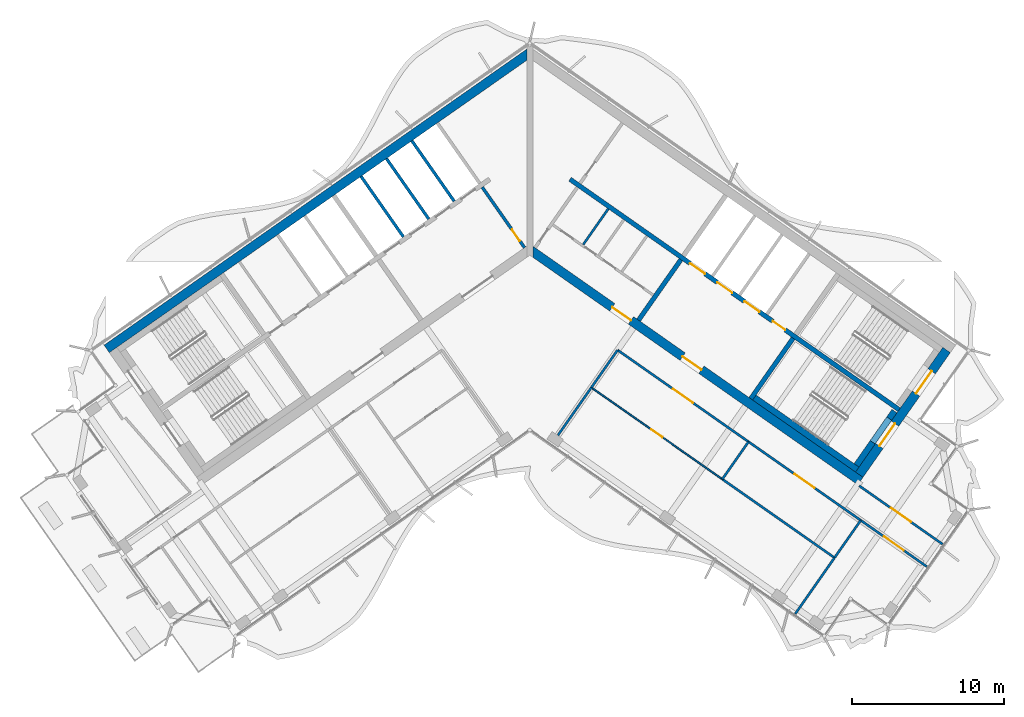
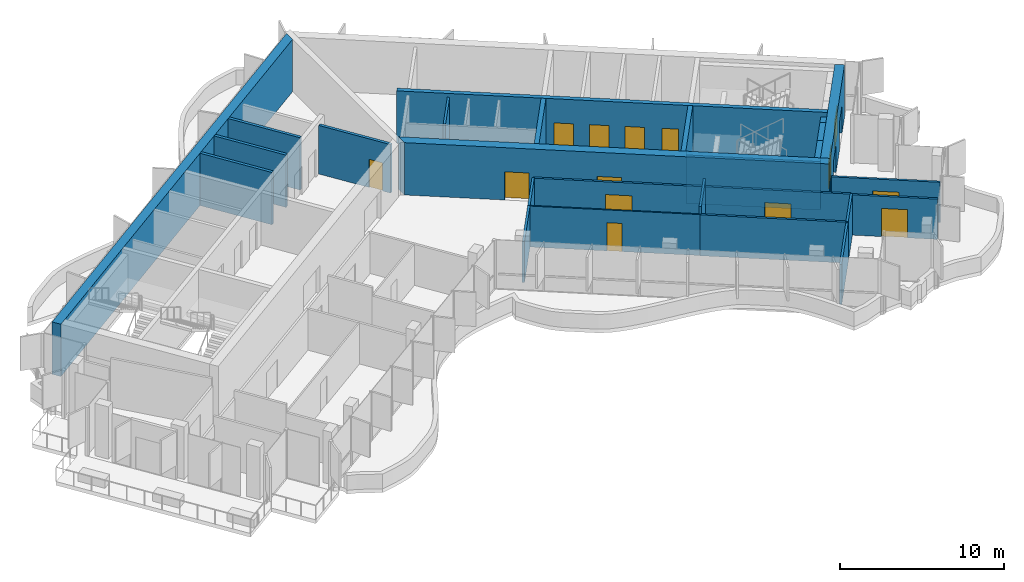
# One storey, part 10 of 18: 26 walls, 14 doors, 14 openings.
"""IFC4 building model written with IfcOpenShell, lengths in metres."""

from ifc_helpers import new_model, si_unit, direction, frame, frame_2d, origin, place, context, subcontext, project, spatial, polyline, rectangle, outline, extrude, material, layer, layer_set, type_object, element, fill, save


model = new_model("IFC4")

# Units and contexts
model_context = context("Model", 3, precision=1e-05, world=origin(), true_north=direction((0.0, 1.0)))
body_context = subcontext(model_context, "Body", "Model", "MODEL_VIEW")
ifc_project = project(units=[si_unit("LENGTHUNIT", "METRE"), si_unit("AREAUNIT", "SQUARE_METRE"), si_unit("VOLUMEUNIT", "CUBIC_METRE"), si_unit("PLANEANGLEUNIT", "RADIAN"), si_unit("MASSUNIT", "GRAM", prefix="KILO")], contexts=[model_context])

# Site, building, storey
site_placement = place(None, origin())
site = spatial("IfcSite", under=ifc_project, at=site_placement, CompositionType="ELEMENT")
building_placement = place(site_placement, origin())
building = spatial("IfcBuilding", under=site, at=building_placement, Name="Tel Ilan Convention Tower", CompositionType="ELEMENT")
storey_placement = place(building_placement, frame((0.0, 0.0, 295.60009765625)))
storey = spatial("IfcBuildingStorey", under=building, at=storey_placement, Name="L70", CompositionType="ELEMENT", Elevation=295.60009765625)

# Wall
ifc_material_1 = material(Name="Gypsum Plasterboard on Steel Stud", Category="steel")
ifc_layer_1 = layer(ifc_material_1, 0.14990234375)
ifc_layer_set_1 = layer_set([ifc_layer_1], Name="Core Room Partition Wall 150 mm EI 60")
wall_type_1 = type_object("IfcWallType", Name="Core Room Partition Wall 150 mm EI 60", PredefinedType="PARTITIONING", material=ifc_layer_set_1)
wall_1_placement = place(storey_placement, frame((3.504150390625, -0.531005859375, 0.0), z_axis=(0.0, 0.0, 1.0), x_axis=(0.573582013179, 0.819148139324, 0.0)))
element("IfcWall", 1, at=wall_1_placement, inside=storey, type_object=wall_type_1, Name="L70 core wall wc-v0", PredefinedType="PARTITIONING", context=body_context, shape_type="SweptSolid", body=[
    extrude(rectangle(XDim=2.875244140625, YDim=0.14990234375, at=frame_2d((1.4375, 0.0))), origin(), (0.0, 0.0, 1.0), 3.619873046875),
])

# Wall, opening, door
ifc_material_2 = material(Name="Concrete C30/37", Category="concrete")
ifc_layer_2 = layer(ifc_material_2, 0.199951171875)
ifc_layer_set_2 = layer_set([ifc_layer_2], Name="Core Service Room Wall 200 mm C30/37")
wall_type_2 = type_object("IfcWallType", Name="Core Service Room Wall 200 mm C30/37", PredefinedType="SOLIDWALL", material=ifc_layer_set_2)
wall_2_placement = place(storey_placement, frame((-0.343994140625, -0.729248046875, 0.0), z_axis=(0.0, 0.0, 1.0), x_axis=(-0.573560315113, 0.819163332265, 0.0)))
wall_2 = element("IfcWall", 2, at=wall_2_placement, inside=storey, type_object=wall_type_2, Name="L70 core wall apex-W", PredefinedType="SOLIDWALL", context=body_context, shape_type="SweptSolid", body=[
    extrude(rectangle(XDim=4.849853515625, YDim=0.199951171875, at=frame_2d((2.4248046875, 0.0))), origin(), (0.0, 0.0, 1.0), 3.619873046875),
])
opening_1_placement = place(wall_2_placement, frame((0.550048828125, 0.0, 0.0)))
opening_1 = element("IfcOpeningElement", 3, at=opening_1_placement, cuts=wall_2, Name="Opening CD5302", PredefinedType="OPENING", context=body_context, shape_type="SweptSolid", body=[
    extrude(rectangle(XDim=0.89990234375, YDim=2.10009765625, at=frame_2d((0.449951171875, 1.050048828125))), frame((0.0, 0.10986328125, 0.0), z_axis=(0.0, -1.0, 0.0), x_axis=(1.0, 0.0, 0.0)), (0.0, 0.0, 1.0), 0.219970703125),
])
ifc_material_3 = material(Name="Galvanised Steel Door Leaf", Category="steel")
door_type_1 = type_object("IfcDoorType", Name="Service Room Door 900 x 2100 FD60", OperationType="NOTDEFINED", PredefinedType="DOOR", material=ifc_material_3)
door_1_placement = place(opening_1_placement, origin())
door_1 = element("IfcDoor", 4, at=door_1_placement, inside=storey, type_object=door_type_1, Name="Riser Room door", OperationType="SINGLE_SWING_RIGHT", OverallHeight=2.10009765625, OverallWidth=0.89990234375, PredefinedType="DOOR", context=body_context, shape_type="SweptSolid", body=[
    extrude(rectangle(XDim=0.89990234375, YDim=2.10009765625, at=frame_2d((0.449951171875, 1.050048828125))), frame((0.0, 0.02490234375, 0.0), z_axis=(0.0, -1.0, 0.0), x_axis=(1.0, 0.0, 0.0)), (0.0, 0.0, 1.0), 0.050048828125),
])
fill(opening_1, door_1)

# Walls
ifc_material_4 = material(Name="Concrete C40/50", Category="concrete")
ifc_layer_3 = layer(ifc_material_4, 0.300048828125)
ifc_layer_set_3 = layer_set([ifc_layer_3], Name="Core Shear Wall 300 mm C40/50")
wall_type_3 = type_object("IfcWallType", Name="Core Shear Wall 300 mm C40/50", PredefinedType="SHEAR", material=ifc_layer_set_3)
wall_3_placement = place(storey_placement, frame((7.142822265625, -5.48974609375, 0.0), z_axis=(0.0, 0.0, 1.0), x_axis=(0.573617744349, 0.819123118565, 0.0)))
element("IfcWall", 5, at=wall_3_placement, inside=storey, type_object=wall_type_3, Name="L70 core wall E-cross1-1", PredefinedType="SHEAR", context=body_context, shape_type="SweptSolid", body=[
    extrude(outline(polyline([(0.0, 0.14990234375), (0.0, -0.150146484375), (4.85009765625, -0.14990234375), (4.85009765625, 0.150146484375), (0.0, 0.14990234375)])), origin(), (0.0, 0.0, 1.0), 3.89990234375),
])
wall_4_placement = place(storey_placement, frame((14.515380859375, -10.652099609375, 0.0), z_axis=(0.0, 0.0, 1.0), x_axis=(0.573560315113, 0.819163332265, 0.0)))
element("IfcWall", 6, at=wall_4_placement, inside=storey, type_object=wall_type_3, Name="L70 core wall E-cross2-1", PredefinedType="SHEAR", context=body_context, shape_type="SweptSolid", body=[
    extrude(outline(polyline([(0.0, 0.150146484375), (0.0, -0.14990234375), (4.85009765625, -0.14990234375), (4.85009765625, 0.14990234375), (0.0, 0.150146484375)])), origin(), (0.0, 0.0, 1.0), 3.89990234375),
])

# Wall, openings, doors
wall_5_placement = place(storey_placement, frame((2.638427734375, 3.76806640625, 0.0), z_axis=(0.0, 0.0, 1.0), x_axis=(0.819155014212, -0.573572194837, 0.0)))
wall_5 = element("IfcWall", 7, at=wall_5_placement, inside=storey, type_object=wall_type_3, Name="L70 core wall E-spine", PredefinedType="SHEAR", context=body_context, shape_type="SweptSolid", body=[
    extrude(outline(polyline([(0.0, 0.150146484375), (0.0, -0.14990234375), (26.39990234375, -0.150146484375), (26.39990234375, 0.14990234375), (0.0, 0.150146484375)])), origin(), (0.0, 0.0, 1.0), 3.89990234375),
])
opening_2_placement = place(wall_5_placement, frame((9.637451171875, 0.0, 0.0)))
opening_2 = element("IfcOpeningElement", 8, at=opening_2_placement, cuts=wall_5, Name="Opening LD5301", PredefinedType="OPENING", context=body_context, shape_type="SweptSolid", body=[
    extrude(rectangle(XDim=1.199951171875, YDim=2.10009765625, at=frame_2d((0.60009765625, 1.050048828125))), frame((0.0, 0.159912109375, 0.0), z_axis=(0.0, -1.0, 0.0), x_axis=(1.0, 0.0, 0.0)), (0.0, 0.0, 1.0), 0.320068359375),
])
opening_3_placement = place(wall_5_placement, frame((11.8125, 0.0, 0.0)))
opening_3 = element("IfcOpeningElement", 9, at=opening_3_placement, cuts=wall_5, Name="Opening LD5302", PredefinedType="OPENING", context=body_context, shape_type="SweptSolid", body=[
    extrude(rectangle(XDim=1.199951171875, YDim=2.10009765625, at=frame_2d((0.60009765625, 1.050048828125))), frame((0.0, 0.159912109375, 0.0), z_axis=(0.0, -1.0, 0.0), x_axis=(1.0, 0.0, 0.0)), (0.0, 0.0, 1.0), 0.320068359375),
])
opening_4_placement = place(wall_5_placement, frame((13.987548828125, 0.0, 0.0)))
opening_4 = element("IfcOpeningElement", 10, at=opening_4_placement, cuts=wall_5, Name="Opening LD5303", PredefinedType="OPENING", context=body_context, shape_type="SweptSolid", body=[
    extrude(rectangle(XDim=1.199951171875, YDim=2.10009765625, at=frame_2d((0.60009765625, 1.050048828125))), frame((0.0, 0.159912109375, 0.0), z_axis=(0.0, -1.0, 0.0), x_axis=(1.0, 0.0, 0.0)), (0.0, 0.0, 1.0), 0.320068359375),
])
opening_5_placement = place(wall_5_placement, frame((16.262451171875, 0.0, 0.0)))
opening_5 = element("IfcOpeningElement", 11, at=opening_5_placement, cuts=wall_5, Name="Opening CD5308", PredefinedType="OPENING", context=body_context, shape_type="SweptSolid", body=[
    extrude(rectangle(XDim=1.0, YDim=2.10009765625, at=frame_2d((0.5, 1.050048828125))), frame((0.0, 0.159912109375, 0.0), z_axis=(0.0, -1.0, 0.0), x_axis=(1.0, 0.0, 0.0)), (0.0, 0.0, 1.0), 0.320068359375),
])
ifc_material_5 = material(Name="Stainless Steel Sliding Door Leaf", Category="steel")
door_type_2 = type_object("IfcDoorType", Name="Lift Landing Door 1200 x 2100 FD120", OperationType="NOTDEFINED", PredefinedType="DOOR", material=ifc_material_5)
door_2_placement = place(opening_2_placement, origin())
door_2 = element("IfcDoor", 12, at=door_2_placement, inside=storey, type_object=door_type_2, Name="Lift FL1 landing door", OperationType="SLIDING_TO_LEFT", OverallHeight=2.10009765625, OverallWidth=1.199951171875, PredefinedType="DOOR", context=body_context, shape_type="SweptSolid", body=[
    extrude(rectangle(XDim=1.199951171875, YDim=2.10009765625, at=frame_2d((0.60009765625, 1.050048828125))), frame((0.0, 0.02490234375, 0.0), z_axis=(0.0, -1.0, 0.0), x_axis=(1.0, 0.0, 0.0)), (0.0, 0.0, 1.0), 0.050048828125),
])
fill(opening_2, door_2)
door_3_placement = place(opening_3_placement, origin())
door_3 = element("IfcDoor", 13, at=door_3_placement, inside=storey, type_object=door_type_2, Name="Lift FL2 landing door", OperationType="SLIDING_TO_RIGHT", OverallHeight=2.10009765625, OverallWidth=1.199951171875, PredefinedType="DOOR", context=body_context, shape_type="SweptSolid", body=[
    extrude(rectangle(XDim=1.199951171875, YDim=2.10009765625, at=frame_2d((0.60009765625, 1.050048828125))), frame((0.0, 0.02490234375, 0.0), z_axis=(0.0, -1.0, 0.0), x_axis=(1.0, 0.0, 0.0)), (0.0, 0.0, 1.0), 0.050048828125),
])
fill(opening_3, door_3)
door_4_placement = place(opening_4_placement, origin())
door_4 = element("IfcDoor", 14, at=door_4_placement, inside=storey, type_object=door_type_2, Name="Lift FL3 landing door", OperationType="SLIDING_TO_LEFT", OverallHeight=2.10009765625, OverallWidth=1.199951171875, PredefinedType="DOOR", context=body_context, shape_type="SweptSolid", body=[
    extrude(rectangle(XDim=1.199951171875, YDim=2.10009765625, at=frame_2d((0.60009765625, 1.050048828125))), frame((0.0, 0.02490234375, 0.0), z_axis=(0.0, -1.0, 0.0), x_axis=(1.0, 0.0, 0.0)), (0.0, 0.0, 1.0), 0.050048828125),
])
fill(opening_4, door_4)
ifc_material_6 = material(Name="Galvanised Steel Door Leaf", Category="steel")
door_type_3 = type_object("IfcDoorType", Name="Service Room Door 1000 x 2100 FD60", OperationType="NOTDEFINED", PredefinedType="DOOR", material=ifc_material_6)
door_5_placement = place(opening_5_placement, origin())
door_5 = element("IfcDoor", 15, at=door_5_placement, inside=storey, type_object=door_type_3, Name="Plant Room door", OperationType="SINGLE_SWING_RIGHT", OverallHeight=2.10009765625, OverallWidth=1.0, PredefinedType="DOOR", context=body_context, shape_type="SweptSolid", body=[
    extrude(rectangle(XDim=1.0, YDim=2.10009765625, at=frame_2d((0.5, 1.050048828125))), frame((0.0, 0.02490234375, 0.0), z_axis=(0.0, -1.0, 0.0), x_axis=(1.0, 0.0, 0.0)), (0.0, 0.0, 1.0), 0.050048828125),
])
fill(opening_5, door_5)

# Wall
ifc_material_7 = material(Name="Concrete C40/50", Category="concrete")
ifc_layer_4 = layer(ifc_material_7, 0.60009765625)
ifc_layer_set_4 = layer_set([ifc_layer_4], Name="Core Shear Wall 600 mm C40/50")
wall_type_4 = type_object("IfcWallType", Name="Core Shear Wall 600 mm C40/50", PredefinedType="SHEAR", material=ifc_layer_set_4)
wall_6_placement = place(storey_placement, frame((-0.02783203125, 12.066162109375, 0.0), z_axis=(0.0, 0.0, 1.0), x_axis=(-0.819151382952, -0.573577380837, 0.0)))
element("IfcWall", 16, at=wall_6_placement, inside=storey, type_object=wall_type_4, Name="L70 core wall W-back", PredefinedType="SHEAR", context=body_context, shape_type="SweptSolid", body=[
    extrude(outline(polyline([(33.89794921875, 0.300048828125), (0.420166015625, 0.300048828125), (0.0, -0.300048828125), (33.898193359375, -0.300048828125), (33.89794921875, 0.300048828125)])), origin(), (0.0, 0.0, 1.0), 3.89990234375),
])

# Wall, openings, doors
wall_7_placement = place(storey_placement, frame((0.02783203125, -0.8740234375, 0.0), z_axis=(0.0, 0.0, 1.0), x_axis=(0.819150035022, -0.573579305871, 0.0)))
wall_7 = element("IfcWall", 17, at=wall_7_placement, inside=storey, type_object=wall_type_4, Name="L70 core wall E-front", PredefinedType="SHEAR", context=body_context, shape_type="SweptSolid", body=[
    extrude(outline(polyline([(26.475830078125, 0.300048828125), (0.000244140625, 0.300048828125), (0.420166015625, -0.300048828125), (26.475830078125, -0.2998046875), (26.475830078125, 0.300048828125)])), origin(), (0.0, 0.0, 1.0), 3.89990234375),
])
opening_6_placement = place(wall_7_placement, frame((6.57568359375, 0.0, 0.0)))
opening_6 = element("IfcOpeningElement", 18, at=opening_6_placement, cuts=wall_7, Name="Opening CD5304", PredefinedType="OPENING", context=body_context, shape_type="SweptSolid", body=[
    extrude(rectangle(XDim=1.5, YDim=2.10009765625, at=frame_2d((0.75, 1.050048828125))), frame((0.0, 0.31005859375, 0.0), z_axis=(0.0, -1.0, 0.0), x_axis=(1.0, 0.0, 0.0)), (0.0, 0.0, 1.0), 0.6201171875),
])
opening_7_placement = place(wall_7_placement, frame((12.225830078125, 0.0, 0.0)))
opening_7 = element("IfcOpeningElement", 19, at=opening_7_placement, cuts=wall_7, Name="Opening CD5305", PredefinedType="OPENING", context=body_context, shape_type="SweptSolid", body=[
    extrude(rectangle(XDim=1.5, YDim=2.10009765625, at=frame_2d((0.75, 1.050048828125))), frame((0.0, 0.31005859375, 0.0), z_axis=(0.0, -1.0, 0.0), x_axis=(1.0, 0.0, 0.0)), (0.0, 0.0, 1.0), 0.6201171875),
])
ifc_material_8 = material(Name="Glazed Aluminium Door Leaf", Category="aluminium")
door_type_4 = type_object("IfcDoorType", Name="Lobby Opening Door 1500 x 2100 FD60S", OperationType="NOTDEFINED", PredefinedType="DOOR", material=ifc_material_8)
door_6_placement = place(opening_7_placement, origin())
door_6 = element("IfcDoor", 20, at=door_6_placement, inside=storey, type_object=door_type_4, Name="Firefighting Lobby door", OperationType="DOUBLE_DOOR_SINGLE_SWING", OverallHeight=2.10009765625, OverallWidth=1.5, PredefinedType="DOOR", context=body_context, shape_type="SweptSolid", body=[
    extrude(rectangle(XDim=1.5, YDim=2.10009765625, at=frame_2d((0.75, 1.050048828125))), frame((0.0, 0.02490234375, 0.0), z_axis=(0.0, -1.0, 0.0), x_axis=(1.0, 0.0, 0.0)), (0.0, 0.0, 1.0), 0.050048828125),
])
fill(opening_7, door_6)
ifc_material_9 = material(Name="Laminated Timber Door Leaf", Category="wood")
door_type_5 = type_object("IfcDoorType", Name="Toilet Door 1500 x 2100 FD30S", OperationType="NOTDEFINED", PredefinedType="DOOR", material=ifc_material_9)
door_7_placement = place(opening_6_placement, origin())
door_7 = element("IfcDoor", 21, at=door_7_placement, inside=storey, type_object=door_type_5, Name="WC Lobby door", OperationType="SINGLE_SWING_RIGHT", OverallHeight=2.10009765625, OverallWidth=1.5, PredefinedType="DOOR", context=body_context, shape_type="SweptSolid", body=[
    extrude(rectangle(XDim=1.5, YDim=2.10009765625, at=frame_2d((0.75, 1.050048828125))), frame((0.0, 0.02490234375, 0.0), z_axis=(0.0, -1.0, 0.0), x_axis=(1.0, 0.0, 0.0)), (0.0, 0.0, 1.0), 0.050048828125),
])
fill(opening_6, door_7)

wall_8_placement = place(storey_placement, frame((21.641845703125, -15.64208984375, 0.0), z_axis=(0.0, 0.0, 1.0), x_axis=(0.573586866468, 0.819144740944, 0.0)))
wall_8 = element("IfcWall", 22, at=wall_8_placement, inside=storey, type_object=wall_type_4, Name="L70 core wall E-end", PredefinedType="SHEAR", context=body_context, shape_type="SweptSolid", body=[
    extrude(outline(polyline([(10.0, 0.300048828125), (0.0, 0.2998046875), (0.0, -0.300048828125), (10.0, -0.300048828125), (10.0, 0.300048828125)])), origin(), (0.0, 0.0, 1.0), 3.89990234375),
])
opening_8_placement = place(wall_8_placement, frame((6.5, 0.0, 0.0)))
opening_8 = element("IfcOpeningElement", 23, at=opening_8_placement, cuts=wall_8, Name="Opening SD5303", PredefinedType="OPENING", context=body_context, shape_type="SweptSolid", body=[
    extrude(rectangle(XDim=1.800048828125, YDim=2.10009765625, at=frame_2d((0.89990234375, 1.050048828125))), frame((0.0, 0.31005859375, 0.0), z_axis=(0.0, -1.0, 0.0), x_axis=(1.0, 0.0, 0.0)), (0.0, 0.0, 1.0), 0.6201171875),
])
opening_9_placement = place(wall_8_placement, frame((2.300048828125, 0.0, 0.0)))
opening_9 = element("IfcOpeningElement", 24, at=opening_9_placement, cuts=wall_8, Name="Opening SD5304", PredefinedType="OPENING", context=body_context, shape_type="SweptSolid", body=[
    extrude(rectangle(XDim=1.800048828125, YDim=2.10009765625, at=frame_2d((0.89990234375, 1.050048828125))), frame((0.0, 0.31005859375, 0.0), z_axis=(0.0, -1.0, 0.0), x_axis=(1.0, 0.0, 0.0)), (0.0, 0.0, 1.0), 0.6201171875),
])
ifc_material_10 = material(Name="Galvanised Steel Door Leaf", Category="steel")
door_type_6 = type_object("IfcDoorType", Name="Stair Fire Door 1800 x 2100 FD60S", OperationType="NOTDEFINED", PredefinedType="DOOR", material=ifc_material_10)
door_8_placement = place(opening_8_placement, origin())
door_8 = element("IfcDoor", 25, at=door_8_placement, inside=storey, type_object=door_type_6, Name="Stair S3 door", OperationType="DOUBLE_DOOR_SINGLE_SWING", OverallHeight=2.10009765625, OverallWidth=1.800048828125, PredefinedType="DOOR", context=body_context, shape_type="SweptSolid", body=[
    extrude(rectangle(XDim=1.800048828125, YDim=2.10009765625, at=frame_2d((0.89990234375, 1.050048828125))), frame((0.0, 0.02490234375, 0.0), z_axis=(0.0, -1.0, 0.0), x_axis=(1.0, 0.0, 0.0)), (0.0, 0.0, 1.0), 0.050048828125),
])
fill(opening_8, door_8)
door_9_placement = place(opening_9_placement, origin())
door_9 = element("IfcDoor", 26, at=door_9_placement, inside=storey, type_object=door_type_6, Name="Stair S4 door", OperationType="DOUBLE_DOOR_SINGLE_SWING", OverallHeight=2.10009765625, OverallWidth=1.800048828125, PredefinedType="DOOR", context=body_context, shape_type="SweptSolid", body=[
    extrude(rectangle(XDim=1.800048828125, YDim=2.10009765625, at=frame_2d((0.89990234375, 1.050048828125))), frame((0.0, 0.02490234375, 0.0), z_axis=(0.0, -1.0, 0.0), x_axis=(1.0, 0.0, 0.0)), (0.0, 0.0, 1.0), 0.050048828125),
])
fill(opening_9, door_9)

# Wall, opening, door
ifc_material_11 = material(Name="Plasterboard on Steel Studs", Category="steel")
ifc_layer_5 = layer(ifc_material_11, 0.14990234375)
ifc_layer_set_5 = layer_set([ifc_layer_5], Name="Fire-rated Partition 150 EI 60")
wall_type_5 = type_object("IfcWallType", Name="Fire-rated Partition 150 EI 60", PredefinedType="PARTITIONING", material=ifc_layer_set_5)
wall_9_placement = place(storey_placement, frame((21.641845703125, -16.37451171875, 0.0), z_axis=(0.0, 0.0, 1.0), x_axis=(0.819147777977, -0.573582529227, 0.0)))
wall_9 = element("IfcWall", 27, at=wall_9_placement, inside=storey, type_object=wall_type_5, Name="Partition 001", PredefinedType="PARTITIONING", context=body_context, shape_type="SweptSolid", body=[
    extrude(rectangle(XDim=6.679931640625, YDim=0.14990234375, at=frame_2d((3.33984375, 0.0))), origin(), (0.0, 0.0, 1.0), 3.0),
])
opening_10_placement = place(wall_9_placement, frame((2.5400390625, 0.0, 0.0)))
opening_10 = element("IfcOpeningElement", 28, at=opening_10_placement, cuts=wall_9, Name="Opening L70-013", PredefinedType="OPENING", context=body_context, shape_type="SweptSolid", body=[
    extrude(rectangle(XDim=1.60009765625, YDim=2.10009765625, at=frame_2d((0.800048828125, 1.050048828125))), frame((0.0, 0.0849609375, 0.0), z_axis=(0.0, -1.0, 0.0), x_axis=(1.0, 0.0, 0.0)), (0.0, 0.0, 1.0), 0.169921875),
])
ifc_material_12 = material(Name="Timber Door Leaf in Steel Frame", Category="steel")
door_type_7 = type_object("IfcDoorType", Name="Tenant Suite Entrance Fire Door 1600x2100", OperationType="NOTDEFINED", PredefinedType="DOOR", material=ifc_material_12)
door_10_placement = place(opening_10_placement, origin())
door_10 = element("IfcDoor", 29, at=door_10_placement, inside=storey, type_object=door_type_7, Name="Door L70-013", OperationType="DOUBLE_DOOR_SINGLE_SWING", OverallHeight=2.10009765625, OverallWidth=1.60009765625, PredefinedType="DOOR", context=body_context, shape_type="SweptSolid", body=[
    extrude(rectangle(XDim=1.60009765625, YDim=2.10009765625, at=frame_2d((0.800048828125, 1.050048828125))), frame((0.0, 0.02490234375, 0.0), z_axis=(0.0, -1.0, 0.0), x_axis=(1.0, 0.0, 0.0)), (0.0, 0.0, 1.0), 0.050048828125),
])
fill(opening_10, door_10)

wall_10_placement = place(storey_placement, frame((14.369140625, -13.4794921875, 0.0), z_axis=(0.0, 0.0, 1.0), x_axis=(-0.819154371039, 0.573573113393, 0.0)))
wall_10 = element("IfcWall", 30, at=wall_10_placement, inside=storey, type_object=wall_type_5, Name="Partition 002", PredefinedType="PARTITIONING", context=body_context, shape_type="SweptSolid", body=[
    extrude(rectangle(XDim=10.501953125, YDim=0.14990234375, at=frame_2d((5.2509765625, 0.0))), origin(), (0.0, 0.0, 1.0), 3.0498046875),
])
opening_11_placement = place(wall_10_placement, frame((4.450927734375, 0.0, 0.0)))
opening_11 = element("IfcOpeningElement", 31, at=opening_11_placement, cuts=wall_10, Name="Opening L70-009", PredefinedType="OPENING", context=body_context, shape_type="SweptSolid", body=[
    extrude(rectangle(XDim=1.60009765625, YDim=2.10009765625, at=frame_2d((0.800048828125, 1.050048828125))), frame((0.0, 0.0849609375, 0.0), z_axis=(0.0, -1.0, 0.0), x_axis=(1.0, 0.0, 0.0)), (0.0, 0.0, 1.0), 0.169921875),
])
door_11_placement = place(opening_11_placement, origin())
door_11 = element("IfcDoor", 32, at=door_11_placement, inside=storey, type_object=door_type_7, Name="Door L70-009", OperationType="DOUBLE_DOOR_SINGLE_SWING", OverallHeight=2.10009765625, OverallWidth=1.60009765625, PredefinedType="DOOR", context=body_context, shape_type="SweptSolid", body=[
    extrude(rectangle(XDim=1.60009765625, YDim=2.10009765625, at=frame_2d((0.800048828125, 1.050048828125))), frame((0.0, 0.02490234375, 0.0), z_axis=(0.0, -1.0, 0.0), x_axis=(1.0, 0.0, 0.0)), (0.0, 0.0, 1.0), 0.050048828125),
])
fill(opening_11, door_11)

wall_11_placement = place(storey_placement, frame((21.741455078125, -18.6416015625, 0.0), z_axis=(0.0, 0.0, 1.0), x_axis=(-0.819164400877, 0.57355878891, 0.0)))
wall_11 = element("IfcWall", 33, at=wall_11_placement, inside=storey, type_object=wall_type_5, Name="Partition 003", PredefinedType="PARTITIONING", context=body_context, shape_type="SweptSolid", body=[
    extrude(rectangle(XDim=9.00390625, YDim=0.14990234375, at=frame_2d((4.501953125, 0.0))), origin(), (0.0, 0.0, 1.0), 3.0498046875),
])
opening_12_placement = place(wall_11_placement, frame((3.701904296875, 0.0, 0.0)))
opening_12 = element("IfcOpeningElement", 34, at=opening_12_placement, cuts=wall_11, Name="Opening L70-011", PredefinedType="OPENING", context=body_context, shape_type="SweptSolid", body=[
    extrude(rectangle(XDim=1.60009765625, YDim=2.10009765625, at=frame_2d((0.800048828125, 1.050048828125))), frame((0.0, 0.0849609375, 0.0), z_axis=(0.0, -1.0, 0.0), x_axis=(1.0, 0.0, 0.0)), (0.0, 0.0, 1.0), 0.169921875),
])
door_12_placement = place(opening_12_placement, origin())
door_12 = element("IfcDoor", 35, at=door_12_placement, inside=storey, type_object=door_type_7, Name="Door L70-011", OperationType="DOUBLE_DOOR_SINGLE_SWING", OverallHeight=2.10009765625, OverallWidth=1.60009765625, PredefinedType="DOOR", context=body_context, shape_type="SweptSolid", body=[
    extrude(rectangle(XDim=1.60009765625, YDim=2.10009765625, at=frame_2d((0.800048828125, 1.050048828125))), frame((0.0, 0.02490234375, 0.0), z_axis=(0.0, -1.0, 0.0), x_axis=(1.0, 0.0, 0.0)), (0.0, 0.0, 1.0), 0.050048828125),
])
fill(opening_12, door_12)

wall_12_placement = place(storey_placement, frame((26.081298828125, -21.680419921875, 0.0), z_axis=(0.0, 0.0, 1.0), x_axis=(-0.81915186898, 0.573576686718, 0.0)))
wall_12 = element("IfcWall", 36, at=wall_12_placement, inside=storey, type_object=wall_type_5, Name="Partition 004", PredefinedType="PARTITIONING", context=body_context, shape_type="SweptSolid", body=[
    extrude(rectangle(XDim=5.3017578125, YDim=0.14990234375, at=frame_2d((2.65087890625, 0.0))), origin(), (0.0, 0.0, 1.0), 3.0),
])
opening_13_placement = place(wall_12_placement, frame((1.85107421875, 0.0, 0.0)))
opening_13 = element("IfcOpeningElement", 37, at=opening_13_placement, cuts=wall_12, Name="Opening L70-012", PredefinedType="OPENING", context=body_context, shape_type="SweptSolid", body=[
    extrude(rectangle(XDim=1.60009765625, YDim=2.10009765625, at=frame_2d((0.800048828125, 1.050048828125))), frame((0.0, 0.0849609375, 0.0), z_axis=(0.0, -1.0, 0.0), x_axis=(1.0, 0.0, 0.0)), (0.0, 0.0, 1.0), 0.169921875),
])
door_13_placement = place(opening_13_placement, origin())
door_13 = element("IfcDoor", 38, at=door_13_placement, inside=storey, type_object=door_type_7, Name="Door L70-012", OperationType="DOUBLE_DOOR_SINGLE_SWING", OverallHeight=2.10009765625, OverallWidth=1.60009765625, PredefinedType="DOOR", context=body_context, shape_type="SweptSolid", body=[
    extrude(rectangle(XDim=1.60009765625, YDim=2.10009765625, at=frame_2d((0.800048828125, 1.050048828125))), frame((0.0, 0.02490234375, 0.0), z_axis=(0.0, -1.0, 0.0), x_axis=(1.0, 0.0, 0.0)), (0.0, 0.0, 1.0), 0.050048828125),
])
fill(opening_13, door_13)

# Walls
wall_13_placement = place(storey_placement, frame((12.64599609375, -15.9365234375, 0.0), z_axis=(0.0, 0.0, 1.0), x_axis=(0.819150352239, -0.573578852841, 0.0)))
element("IfcWall", 39, at=wall_13_placement, inside=storey, type_object=wall_type_5, Name="Partition 012", PredefinedType="PARTITIONING", context=body_context, shape_type="SweptSolid", body=[
    extrude(rectangle(XDim=9.000244140625, YDim=0.14990234375, at=frame_2d((4.5, 0.0))), origin(), (0.0, 0.0, 1.0), 3.0498046875),
])
wall_14_placement = place(storey_placement, frame((20.0185546875, -21.098876953125, 0.0), z_axis=(0.0, 0.0, 1.0), x_axis=(-0.573589807488, -0.819142681555, 0.0)))
element("IfcWall", 40, at=wall_14_placement, inside=storey, type_object=wall_type_5, Name="Partition 013", PredefinedType="PARTITIONING", context=body_context, shape_type="SweptSolid", body=[
    extrude(rectangle(XDim=4.4990234375, YDim=0.14990234375, at=frame_2d((2.24951171875, 0.0))), origin(), (0.0, 0.0, 1.0), 3.0),
])
wall_15_placement = place(storey_placement, frame((1.848876953125, -13.050537109375, 0.0), z_axis=(0.0, 0.0, 1.0), x_axis=(0.573594994199, 0.819139049631, 0.0)))
element("IfcWall", 41, at=wall_15_placement, inside=storey, type_object=wall_type_5, Name="Partition 014", PredefinedType="PARTITIONING", context=body_context, shape_type="SweptSolid", body=[
    extrude(rectangle(XDim=3.8291015625, YDim=0.14990234375, at=frame_2d((1.91455078125, 0.0))), origin(), (0.0, 0.0, 1.0), 3.0498046875),
])
wall_16_placement = place(storey_placement, frame((14.367431640625, -13.478515625, 0.0), z_axis=(0.0, 0.0, 1.0), x_axis=(-0.573598887793, -0.819136323161, 0.0)))
element("IfcWall", 42, at=wall_16_placement, inside=storey, type_object=wall_type_5, Name="Partition 015", PredefinedType="PARTITIONING", context=body_context, shape_type="SweptSolid", body=[
    extrude(rectangle(XDim=2.999755859375, YDim=0.14990234375, at=frame_2d((1.5, 0.0))), origin(), (0.0, 0.0, 1.0), 3.619873046875),
])
wall_17_placement = place(storey_placement, frame((4.045654296875, -9.913330078125, 0.0), z_axis=(0.0, 0.0, 1.0), x_axis=(0.573560650686, 0.819163097304, 0.0)))
element("IfcWall", 43, at=wall_17_placement, inside=storey, type_object=wall_type_5, Name="Partition 016", PredefinedType="PARTITIONING", context=body_context, shape_type="SweptSolid", body=[
    extrude(rectangle(XDim=3.0, YDim=0.14990234375, at=frame_2d((1.5, 0.0))), origin(), (0.0, 0.0, 1.0), 3.0498046875),
])
wall_18_placement = place(storey_placement, frame((21.73974609375, -18.640625, 0.0), z_axis=(0.0, 0.0, 1.0), x_axis=(-0.573598887793, -0.819136323161, 0.0)))
element("IfcWall", 44, at=wall_18_placement, inside=storey, type_object=wall_type_5, Name="Partition 017", PredefinedType="PARTITIONING", context=body_context, shape_type="SweptSolid", body=[
    extrude(rectangle(XDim=2.999755859375, YDim=0.14990234375, at=frame_2d((1.5, 0.0))), origin(), (0.0, 0.0, 1.0), 3.0498046875),
])
ifc_material_13 = material(Name="Concrete C30/37", Category="concrete")
ifc_layer_6 = layer(ifc_material_13, 0.199951171875)
ifc_layer_set_6 = layer_set([ifc_layer_6], Name="Lift Shaft Wall 200 mm C30/37")
wall_type_6 = type_object("IfcWallType", Name="Lift Shaft Wall 200 mm C30/37", PredefinedType="SOLIDWALL", material=ifc_layer_set_6)
wall_19_placement = place(storey_placement, frame((-4.966796875, 2.32080078125, 0.0), z_axis=(0.0, 0.0, 1.0), x_axis=(-0.573594092424, 0.81913968109, 0.0)))
element("IfcWall", 45, at=wall_19_placement, inside=storey, type_object=wall_type_6, Name="L70 core wall bank-W1-p0", PredefinedType="SOLIDWALL", context=body_context, shape_type="SweptSolid", body=[
    extrude(rectangle(XDim=4.85009765625, YDim=0.199951171875, at=frame_2d((2.425048828125, 0.0))), origin(), (0.0, 0.0, 1.0), 3.89990234375),
])
wall_20_placement = place(storey_placement, frame((-6.635986328125, 1.152099609375, 0.0), z_axis=(0.0, 0.0, 1.0), x_axis=(-0.573560315113, 0.819163332265, 0.0)))
element("IfcWall", 46, at=wall_20_placement, inside=storey, type_object=wall_type_6, Name="L70 core wall bank-W1-p1", PredefinedType="SOLIDWALL", context=body_context, shape_type="SweptSolid", body=[
    extrude(rectangle(XDim=4.849853515625, YDim=0.199951171875, at=frame_2d((2.4248046875, 0.0))), origin(), (0.0, 0.0, 1.0), 3.89990234375),
])
wall_21_placement = place(storey_placement, frame((-8.304931640625, -0.0166015625, 0.0), z_axis=(0.0, 0.0, 1.0), x_axis=(-0.573594092424, 0.81913968109, 0.0)))
element("IfcWall", 47, at=wall_21_placement, inside=storey, type_object=wall_type_6, Name="L70 core wall bank-W1-p2", PredefinedType="SOLIDWALL", context=body_context, shape_type="SweptSolid", body=[
    extrude(rectangle(XDim=4.85009765625, YDim=0.199951171875, at=frame_2d((2.425048828125, 0.0))), origin(), (0.0, 0.0, 1.0), 3.89990234375),
])

# Wall, opening, door
ifc_material_14 = material(Name="Plasterboard on Steel Studs", Category="steel")
ifc_layer_7 = layer(ifc_material_14, 0.10009765625)
ifc_layer_set_7 = layer_set([ifc_layer_7], Name="Plasterboard Partition 100")
wall_type_7 = type_object("IfcWallType", Name="Plasterboard Partition 100", PredefinedType="PARTITIONING", material=ifc_layer_set_7)
wall_22_placement = place(storey_placement, frame((12.64599609375, -15.9365234375, 0.0), z_axis=(0.0, 0.0, 1.0), x_axis=(-0.81914779845, 0.57358249999, 0.0)))
wall_22 = element("IfcWall", 48, at=wall_22_placement, inside=storey, type_object=wall_type_7, Name="Partition 011", PredefinedType="PARTITIONING", context=body_context, shape_type="SweptSolid", body=[
    extrude(rectangle(XDim=10.499755859375, YDim=0.10009765625, at=frame_2d((5.25, 0.0))), origin(), (0.0, 0.0, 1.0), 3.0498046875),
])
opening_14_placement = place(wall_22_placement, frame((4.800048828125, 0.0, 0.0)))
opening_14 = element("IfcOpeningElement", 49, at=opening_14_placement, cuts=wall_22, Name="Opening L70-010", PredefinedType="OPENING", context=body_context, shape_type="SweptSolid", body=[
    extrude(rectangle(XDim=0.89990234375, YDim=2.10009765625, at=frame_2d((0.449951171875, 1.050048828125))), frame((0.0, 0.06005859375, 0.0), z_axis=(0.0, -1.0, 0.0), x_axis=(1.0, 0.0, 0.0)), (0.0, 0.0, 1.0), 0.1201171875),
])
ifc_material_15 = material(Name="Timber Door Leaf in Steel Frame", Category="steel")
door_type_8 = type_object("IfcDoorType", Name="Room Timber Door 900x2100", OperationType="NOTDEFINED", PredefinedType="DOOR", material=ifc_material_15)
door_14_placement = place(opening_14_placement, origin())
door_14 = element("IfcDoor", 50, at=door_14_placement, inside=storey, type_object=door_type_8, Name="Door L70-010", OperationType="SINGLE_SWING_LEFT", OverallHeight=2.10009765625, OverallWidth=0.89990234375, PredefinedType="DOOR", context=body_context, shape_type="SweptSolid", body=[
    extrude(rectangle(XDim=0.89990234375, YDim=2.10009765625, at=frame_2d((0.449951171875, 1.050048828125))), frame((0.0, 0.02490234375, 0.0), z_axis=(0.0, -1.0, 0.0), x_axis=(1.0, 0.0, 0.0)), (0.0, 0.0, 1.0), 0.050048828125),
])
fill(opening_14, door_14)

# Walls
ifc_material_16 = material(Name="Concrete C30/37", Category="concrete")
ifc_layer_8 = layer(ifc_material_16, 0.39990234375)
ifc_layer_set_8 = layer_set([ifc_layer_8], Name="Stair and Shaft Lining Wall 400 mm C30/37")
wall_type_8 = type_object("IfcWallType", Name="Stair and Shaft Lining Wall 400 mm C30/37", PredefinedType="SOLIDWALL", material=ifc_layer_set_8)
wall_23_placement = place(storey_placement, frame((14.7529296875, -10.57421875, 0.0), z_axis=(0.0, 0.0, 1.0), x_axis=(0.819158229677, -0.573567602601, 0.0)))
element("IfcWall", 51, at=wall_23_placement, inside=storey, type_object=wall_type_8, Name="L70 core wall lining-S4-t0", PredefinedType="SOLIDWALL", context=body_context, shape_type="SweptSolid", body=[
    extrude(rectangle(XDim=8.25, YDim=0.39990234375, at=frame_2d((4.125, 0.0))), origin(), (0.0, 0.0, 1.0), 3.619873046875),
])
wall_24_placement = place(storey_placement, frame((21.4619140625, -15.027587890625, 0.0), z_axis=(0.0, 0.0, 1.0), x_axis=(0.573559770908, 0.819163713305, 0.0)))
element("IfcWall", 52, at=wall_24_placement, inside=storey, type_object=wall_type_8, Name="L70 core wall lining-S4-u1-0", PredefinedType="SOLIDWALL", context=body_context, shape_type="SweptSolid", body=[
    extrude(rectangle(XDim=1.849853515625, YDim=0.39990234375, at=frame_2d((0.9248046875, 0.0))), origin(), (0.0, 0.0, 1.0), 3.619873046875),
])
wall_25_placement = place(storey_placement, frame((23.61279296875, -11.955810546875, 0.0), z_axis=(0.0, 0.0, 1.0), x_axis=(0.573435029941, 0.819251039936, 0.0)))
element("IfcWall", 53, at=wall_25_placement, inside=storey, type_object=wall_type_8, Name="L70 core wall lining-S4-u1-1", PredefinedType="SOLIDWALL", context=body_context, shape_type="SweptSolid", body=[
    extrude(rectangle(XDim=0.599853515625, YDim=0.39990234375, at=frame_2d((0.2998046875, 0.0))), origin(), (0.0, 0.0, 1.0), 3.619873046875),
])
wall_26_placement = place(storey_placement, frame((22.52294921875, -13.51220703125, 2.14990234375), z_axis=(0.0, 0.0, 1.0), x_axis=(0.573591692345, 0.819141361715, 0.0)))
element("IfcWall", 54, at=wall_26_placement, inside=storey, type_object=wall_type_8, Name="L70 core wall lining-S4-u1-lintel", PredefinedType="SOLIDWALL", context=body_context, shape_type="SweptSolid", body=[
    extrude(rectangle(XDim=1.900146484375, YDim=0.39990234375, at=frame_2d((0.9501953125, 0.0))), origin(), (0.0, 0.0, 1.0), 1.469970703125),
])

save(model, "model.ifc")
